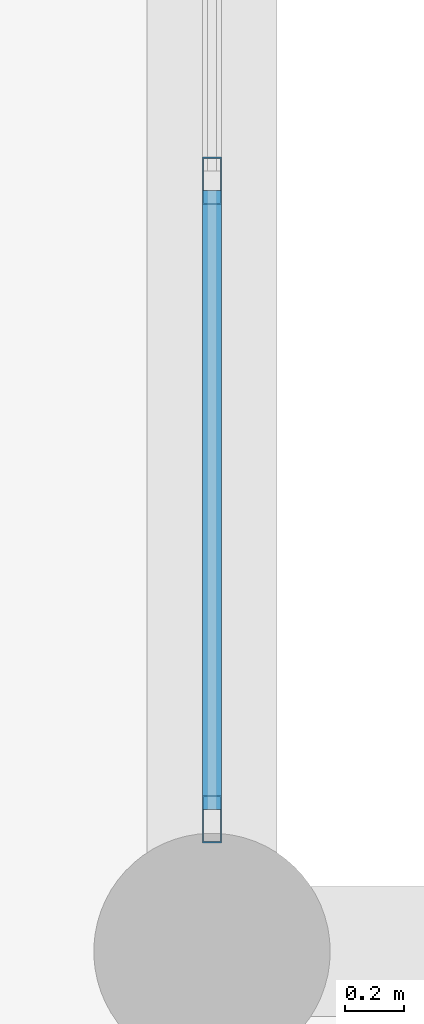
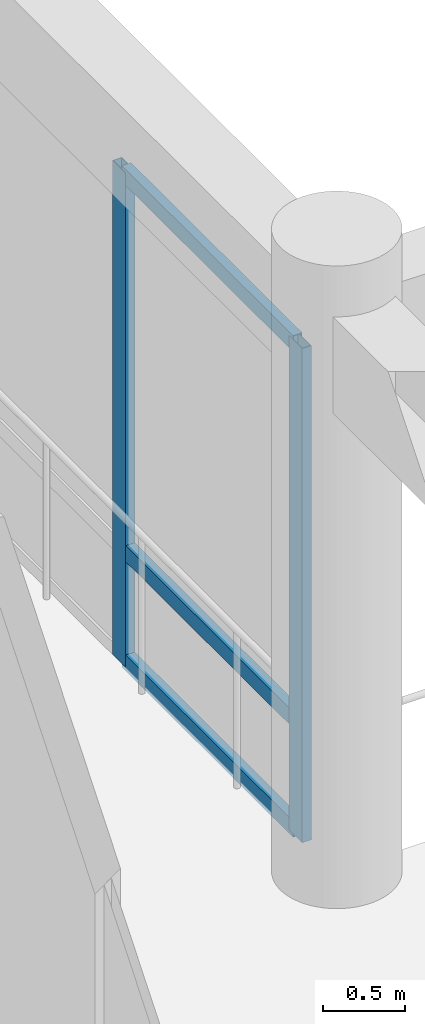
# One storey, part 20 of 133: 5 members, 1 element without a shape of its own.
"""IFC4 building model written with IfcOpenShell, lengths in metres."""

import ifcopenshell
import ifcopenshell.guid

model = None  # the IFC model being written
_history = None  # IfcOwnerHistory: only IFC2X3 demands one
_inside = {}  # id of a spatial element -> (the spatial element, [elements in it])
_under = {}  # id of a project, library or spatial element -> (it, [spatial elements below it])
_declared = {}  # id of a project -> (the project, [libraries it declares])
_typed = {}  # id of a type object -> (the type object, [elements of that type])
_made_of = {}  # id of a material, layer set ... -> (it, [elements and type objects made of it])


def new_model(schema):
    """Start an empty IFC model of exactly this schema.

    Asked for "IFC4X3", IfcOpenShell would pick the latest addendum, in which some entities
    have other attributes; the version numbers below select the first issue.
    IFC2X3 requires an IfcOwnerHistory on every rooted entity: one is made here for all.
    """
    global model, _history
    if schema == "IFC4X3":
        model = ifcopenshell.file(schema_version=(4, 3, 0, 0))
    else:
        model = ifcopenshell.file(schema=schema)
    _inside.clear()
    _under.clear()
    _declared.clear()
    _typed.clear()
    _made_of.clear()
    _history = None
    if model.schema == "IFC2X3":
        org = make("IfcOrganization", Name="unknown")
        user = make(
            "IfcPersonAndOrganization",
            ThePerson=make("IfcPerson", FamilyName="unknown"),
            TheOrganization=org,
        )
        app = make(
            "IfcApplication",
            ApplicationDeveloper=org,
            Version="unknown",
            ApplicationFullName="unknown",
            ApplicationIdentifier="unknown",
        )
        _history = make(
            "IfcOwnerHistory",
            OwningUser=user,
            OwningApplication=app,
            ChangeAction="ADDED",
            CreationDate=0,
        )
    return model


def make(cls, **values):
    """One entity of the class cls with the attributes given. An attribute that is None is left unset."""
    return model.create_entity(
        cls, **{name: value for name, value in values.items() if value is not None}
    )


def rooted(cls, **values):
    """An entity with a GlobalId (a new one), such as an element, a storey or a relation."""
    return make(cls, GlobalId=ifcopenshell.guid.new(), OwnerHistory=_history, **values)


def si_unit(unit_type, name, prefix=None):
    """IfcSIUnit, for example si_unit("LENGTHUNIT", "METRE", prefix="MILLI")."""
    return make("IfcSIUnit", UnitType=unit_type, Prefix=prefix, Name=name)


def assignment(units):
    """IfcUnitAssignment: the units of a project."""
    return None if units is None else make("IfcUnitAssignment", Units=units)


def point(xyz):
    """IfcCartesianPoint."""
    return None if xyz is None else make("IfcCartesianPoint", Coordinates=xyz)


def direction(xyz):
    """IfcDirection."""
    return None if xyz is None else make("IfcDirection", DirectionRatios=xyz)


def frame(location, z_axis=None, x_axis=None):
    """IfcAxis2Placement3D, a coordinate frame: its origin and axes. An axis left out is left unset."""
    return make(
        "IfcAxis2Placement3D",
        Location=point(location),
        Axis=direction(z_axis),
        RefDirection=direction(x_axis),
    )


def frame_2d(location, x_axis=None):
    """IfcAxis2Placement2D, a coordinate frame in the plane: its origin and x axis."""
    return make(
        "IfcAxis2Placement2D", Location=point(location), RefDirection=direction(x_axis)
    )


def origin():
    """The frame at (0, 0, 0) with its axes left unset."""
    return frame((0.0, 0.0, 0.0))


def origin_2d():
    """The frame at (0, 0) in the plane with its x axis left unset."""
    return frame_2d((0.0, 0.0))


def place(relative_to, where):
    """IfcLocalPlacement: puts the frame where relative to a parent placement (None: the world)."""
    return make(
        "IfcLocalPlacement", PlacementRelTo=relative_to, RelativePlacement=where
    )


def context(
    kind, dimensions, precision=None, world=None, true_north=None, identifier=None
):
    """IfcGeometricRepresentationContext, for example the 3D "Model" context."""
    return make(
        "IfcGeometricRepresentationContext",
        ContextIdentifier=identifier,
        ContextType=kind,
        CoordinateSpaceDimension=dimensions,
        Precision=precision,
        WorldCoordinateSystem=world,
        TrueNorth=true_north,
    )


def subcontext(parent, identifier, kind, view, scale=None):
    """IfcGeometricRepresentationSubContext, for example "Body" below "Model"."""
    return make(
        "IfcGeometricRepresentationSubContext",
        ContextIdentifier=identifier,
        ContextType=kind,
        ParentContext=parent,
        TargetScale=scale,
        TargetView=view,
    )


def project(units=None, contexts=None):
    """IfcProject with its units and contexts."""
    return rooted(
        "IfcProject",
        Name="project",
        RepresentationContexts=contexts,
        UnitsInContext=assignment(units),
    )


def spatial(cls, under=None, at=None, **own):
    """A site, building, storey or space (cls), placed at a placement, below another one or the project."""
    s = rooted(cls, ObjectPlacement=at, **own)
    if under is not None:
        _under.setdefault(under.id(), (under, []))[1].append(s)
    return s


def profile(cls, at=None, kind="AREA", **sizes):
    """A parametric profile (cls). Its sizes go by their IFC names, for example OverallWidth=200.0."""
    return make(cls, ProfileType=kind, Position=at, **sizes)


def hollow_rectangle(**sizes):
    """IfcRectangleHollowProfileDef."""
    return profile("IfcRectangleHollowProfileDef", **sizes)


def extrude(swept, where, along, depth):
    """IfcExtrudedAreaSolid: the profile swept, set in the frame where, extruded along a direction by depth."""
    return make(
        "IfcExtrudedAreaSolid",
        SweptArea=swept,
        Position=where,
        ExtrudedDirection=direction(along),
        Depth=depth,
    )


def shape(context_of_items, identifier, shape_type, items):
    """IfcShapeRepresentation: the items that make up one representation, for example the "Body"."""
    return make(
        "IfcShapeRepresentation",
        ContextOfItems=context_of_items,
        RepresentationIdentifier=identifier,
        RepresentationType=shape_type,
        Items=items,
    )


def material(Name=None, Category=None):
    """IfcMaterial."""
    return make("IfcMaterial", Name=Name, Category=Category)


def layer(
    of_material, thickness, ventilated=None, Name=None, Category=None, Priority=None
):
    """IfcMaterialLayer: one layer of a wall or slab, of a material (None: an air gap)."""
    return make(
        "IfcMaterialLayer",
        Material=of_material,
        LayerThickness=thickness,
        IsVentilated=ventilated,
        Name=Name,
        Category=Category,
        Priority=Priority,
    )


def layer_set(layers, Name=None):
    """IfcMaterialLayerSet."""
    return make("IfcMaterialLayerSet", MaterialLayers=layers, LayerSetName=Name)


def material_profile(
    of_material, cross_section, Name=None, Category=None, Priority=None
):
    """IfcMaterialProfile: a cross section and its material."""
    return make(
        "IfcMaterialProfile",
        Name=Name,
        Material=of_material,
        Profile=cross_section,
        Priority=Priority,
        Category=Category,
    )


def profile_set(profiles, Name=None, composite=None):
    """IfcMaterialProfileSet."""
    return make(
        "IfcMaterialProfileSet",
        Name=Name,
        MaterialProfiles=profiles,
        CompositeProfile=composite,
    )


def made_of(thing, what):
    """Note that an element or type object is made of a material, layer set ...; save() writes the relation."""
    if what is not None:
        _made_of.setdefault(what.id(), (what, []))[1].append(thing)
    return thing


def type_object(cls, material=None, **own):
    """A type object (cls), such as IfcWallType, which elements share."""
    return made_of(rooted(cls, **own), material)


def element(
    cls,
    number,
    at=None,
    inside=None,
    cuts=None,
    type_object=None,
    material=None,
    context=None,
    identifier="Body",
    shape_type=None,
    held_by="IfcProductDefinitionShape",
    body=None,
    shapes=None,
    **own,
):
    """One element of the class cls, such as IfcWall. Its Tag is "e" and its number.

    at: its placement. inside: the storey or other place that contains it. cuts: it is an
    opening in that element (IfcRelVoidsElement). A single representation is given by context,
    identifier, shape_type and body (its items); several are given by shapes. held_by: the class
    of the entity that holds the representations. save() writes the other relations.
    """
    e = rooted(cls, Tag="e%d" % number, ObjectPlacement=at, **own)
    if body is not None:
        shapes = [shape(context, identifier, shape_type, body)]
    if shapes is not None:
        e.Representation = make(held_by, Representations=shapes)
    if inside is not None:
        _inside.setdefault(inside.id(), (inside, []))[1].append(e)
    if cuts is not None:
        rooted(
            "IfcRelVoidsElement", RelatingBuildingElement=cuts, RelatedOpeningElement=e
        )
    if type_object is not None:
        _typed.setdefault(type_object.id(), (type_object, []))[1].append(e)
    return made_of(e, material)


def aggregate(whole, parts):
    """IfcRelAggregates: a whole, such as a stair, and the parts it consists of."""
    return rooted("IfcRelAggregates", RelatingObject=whole, RelatedObjects=parts)


def save(model, path):
    """Write the relations noted so far, then the file.

    IfcRelAggregates (storeys below a building ...), IfcRelContainedInSpatialStructure (elements
    in a storey), IfcRelDefinesByType, IfcRelAssociatesMaterial and IfcRelDeclares: one each for
    every whole, place, type object, material and project.
    """
    for whole, parts in _under.values():
        aggregate(whole, parts)
    for where, things in _inside.values():
        rooted(
            "IfcRelContainedInSpatialStructure",
            RelatedElements=things,
            RelatingStructure=where,
        )
    for kind, things in _typed.values():
        rooted("IfcRelDefinesByType", RelatedObjects=things, RelatingType=kind)
    for what, things in _made_of.values():
        rooted("IfcRelAssociatesMaterial", RelatedObjects=things, RelatingMaterial=what)
    for by, libraries in _declared.values():
        rooted("IfcRelDeclares", RelatingContext=by, RelatedDefinitions=libraries)
    model.write(path)


model = new_model("IFC4")

# Units and contexts
model_context = context("Model", 3, precision=1e-05, world=origin(), true_north=direction((0.0, 1.0)))
body_context = subcontext(model_context, "Body", "Model", "MODEL_VIEW")
ifc_project = project(units=[si_unit("LENGTHUNIT", "METRE"), si_unit("AREAUNIT", "SQUARE_METRE"), si_unit("VOLUMEUNIT", "CUBIC_METRE"), si_unit("PLANEANGLEUNIT", "RADIAN"), si_unit("MASSUNIT", "GRAM", prefix="KILO")], contexts=[model_context])

# Site, building, storey
site_placement = place(None, origin())
site = spatial("IfcSite", under=ifc_project, at=site_placement, CompositionType="ELEMENT")
building_placement = place(site_placement, origin())
building = spatial("IfcBuilding", under=site, at=building_placement, Name="Nakhvara Creek Congress Hotel", CompositionType="ELEMENT")
storey_placement = place(building_placement, frame((0.0, 0.0, 11.39990234375)))
storey = spatial("IfcBuildingStorey", under=building, at=storey_placement, Name="L02", CompositionType="ELEMENT", Elevation=11.39990234375)

# Curtain wall, members
ifc_material_1 = material(Name="Bronze-anodised aluminium AW-6063-T6 and double-silver low-E glass", Category="aluminium")
ifc_layer = layer(ifc_material_1, 0.199951171875)
ifc_layer_set = layer_set([ifc_layer], Name="Bronze-anodised aluminium AW-6063-T6 and double-silver low-E glass")
curtain_wall_type = type_object("IfcCurtainWallType", Name="CW-POD-STICK", PredefinedType="NOTDEFINED", material=ifc_layer_set)
curtain_wall_placement = place(storey_placement, origin())
curtain_wall = element("IfcCurtainWall", 1, at=curtain_wall_placement, inside=storey, type_object=curtain_wall_type, Name="Curtain Wall CW043", PredefinedType="NOTDEFINED")
ifc_material_2 = material(Name="Bronze-anodised aluminium AW-6063-T6", Category="aluminium")
ifc_material_profile_1 = material_profile(ifc_material_2, hollow_rectangle(XDim=0.06494140625, YDim=0.159912109375, WallThickness=0.00390625, at=origin_2d()), Name="ALU-MULL 65x160x4", Category="LoadBearing")
ifc_profile_set_1 = profile_set([ifc_material_profile_1], Name="Bronze-anodised aluminium AW-6063-T6")
member_type_1 = type_object("IfcMemberType", Name="CW-MULL-160", PredefinedType="MULLION", material=ifc_profile_set_1)
member_1_placement = place(storey_placement, frame((76.800048828125, 45.8076171875, 0.0), z_axis=(0.0, 0.0, 1.0), x_axis=(1.0, 0.0, 0.0)))
member_1 = element("IfcMember", 2, at=member_1_placement, type_object=member_type_1, Name="CW043 mullion 4", PredefinedType="MULLION", context=body_context, shape_type="SweptSolid", body=[
    extrude(hollow_rectangle(XDim=0.06494140625, YDim=0.159912109375, WallThickness=0.00390625, at=origin_2d()), origin(), (0.0, 0.0, 1.0), 3.692138671875),
])
member_2_placement = place(storey_placement, frame((76.800048828125, 43.6474609375, 0.0), z_axis=(0.0, 0.0, 1.0), x_axis=(1.0, 0.0, 0.0)))
member_2 = element("IfcMember", 3, at=member_2_placement, type_object=member_type_1, Name="CW043 mullion 5", PredefinedType="MULLION", context=body_context, shape_type="SweptSolid", body=[
    extrude(hollow_rectangle(XDim=0.06494140625, YDim=0.159912109375, WallThickness=0.00390625, at=origin_2d()), origin(), (0.0, 0.0, 1.0), 3.692138671875),
])
ifc_material_profile_2 = material_profile(ifc_material_2, hollow_rectangle(XDim=0.06494140625, YDim=0.1201171875, WallThickness=0.00390625, at=origin_2d()), Name="ALU-TRAN 65x120x4", Category="LoadBearing")
ifc_profile_set_2 = profile_set([ifc_material_profile_2], Name="Bronze-anodised aluminium AW-6063-T6")
member_type_2 = type_object("IfcMemberType", Name="CW-TRAN-120", PredefinedType="USERDEFINED", material=ifc_profile_set_2)
member_3_placement = place(storey_placement, frame((76.800048828125, 45.77490234375, 0.03271484375), z_axis=(0.0, -1.0, 0.0), x_axis=(1.0, 0.0, 0.0)))
member_3 = element("IfcMember", 4, at=member_3_placement, type_object=member_type_2, Name="CW043 transom 4.1", ObjectType="TRANSOM", PredefinedType="USERDEFINED", context=body_context, shape_type="SweptSolid", body=[
    extrude(hollow_rectangle(XDim=0.06494140625, YDim=0.1201171875, WallThickness=0.00390625, at=origin_2d()), origin(), (0.0, 0.0, 1.0), 2.094970703125),
])
member_4_placement = place(storey_placement, frame((76.800048828125, 45.77490234375, 0.85009765625), z_axis=(0.0, -1.0, 0.0), x_axis=(1.0, 0.0, 0.0)))
member_4 = element("IfcMember", 5, at=member_4_placement, type_object=member_type_2, Name="CW043 transom 4.2", ObjectType="TRANSOM", PredefinedType="USERDEFINED", context=body_context, shape_type="SweptSolid", body=[
    extrude(hollow_rectangle(XDim=0.06494140625, YDim=0.1201171875, WallThickness=0.00390625, at=origin_2d()), origin(), (0.0, 0.0, 1.0), 2.094970703125),
])
member_5_placement = place(storey_placement, frame((76.800048828125, 45.77490234375, 3.65966796875), z_axis=(0.0, -1.0, 0.0), x_axis=(1.0, 0.0, 0.0)))
member_5 = element("IfcMember", 6, at=member_5_placement, type_object=member_type_2, Name="CW043 transom 4.3", ObjectType="TRANSOM", PredefinedType="USERDEFINED", context=body_context, shape_type="SweptSolid", body=[
    extrude(hollow_rectangle(XDim=0.06494140625, YDim=0.1201171875, WallThickness=0.00390625, at=origin_2d()), origin(), (0.0, 0.0, 1.0), 2.094970703125),
])
aggregate(curtain_wall, [member_1, member_2, member_3, member_4, member_5])

save(model, "model.ifc")
